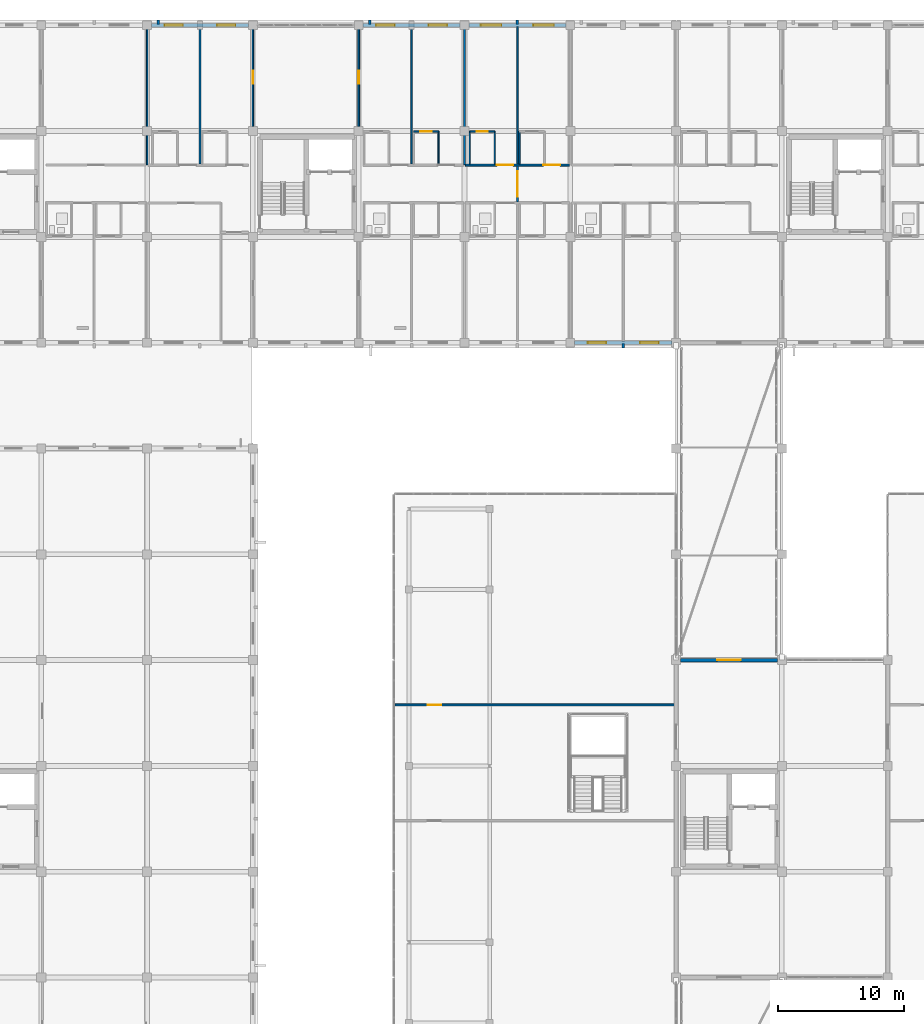
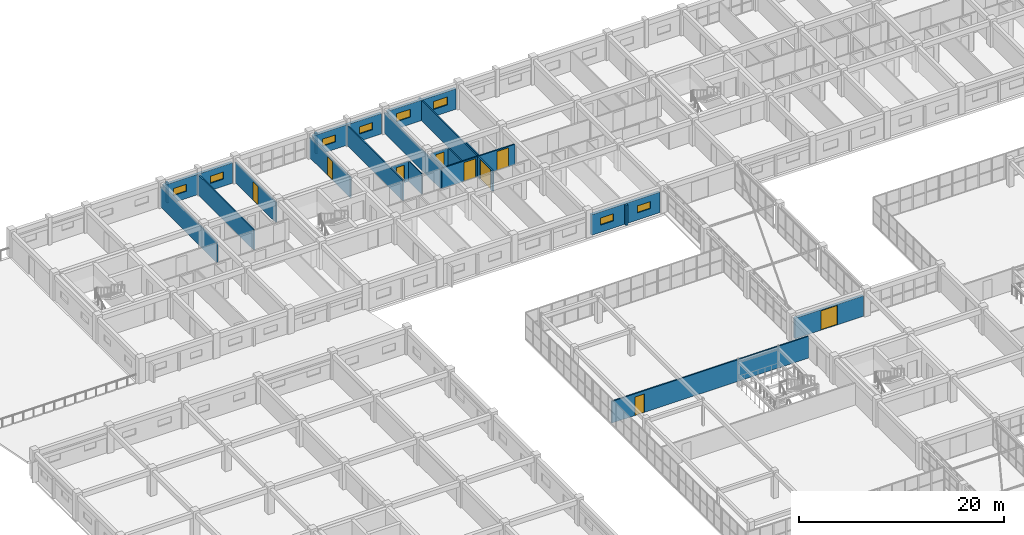
# One storey, part 125 of 148: 25 walls, 9 doors, 8 windows, 17 openings.
"""IFC4 building model written with IfcOpenShell, lengths in metres."""

from ifc_helpers import new_model, si_unit, direction, frame, frame_2d, origin, place, context, subcontext, project, spatial, rectangle, extrude, material, layer, layer_set, type_object, element, fill, save


model = new_model("IFC4")

# Units and contexts
model_context = context("Model", 3, precision=1e-05, world=origin(), true_north=direction((0.0, 1.0)))
body_context = subcontext(model_context, "Body", "Model", "MODEL_VIEW")
ifc_project = project(units=[si_unit("LENGTHUNIT", "METRE"), si_unit("AREAUNIT", "SQUARE_METRE"), si_unit("VOLUMEUNIT", "CUBIC_METRE"), si_unit("PLANEANGLEUNIT", "RADIAN"), si_unit("MASSUNIT", "GRAM", prefix="KILO")], contexts=[model_context])

# Site, building, storey
site_placement = place(None, origin())
site = spatial("IfcSite", under=ifc_project, at=site_placement, CompositionType="ELEMENT")
building_placement = place(site_placement, origin())
building = spatial("IfcBuilding", under=site, at=building_placement, Name="Trelvath General Hospital", CompositionType="ELEMENT")
storey_placement = place(building_placement, frame((0.0, 0.0, 12.89990234375)))
storey = spatial("IfcBuildingStorey", under=building, at=storey_placement, Name="L03", CompositionType="ELEMENT", Elevation=12.89990234375)

# Walls
ifc_material_1 = material(Name="Precast concrete C40/50", Category="concrete")
ifc_layer_1 = layer(ifc_material_1, 0.199951171875)
ifc_layer_set_1 = layer_set([ifc_layer_1], Name="Precast concrete C40/50")
wall_type_1 = type_object("IfcWallType", Name="BriseSoleilRib 200", PredefinedType="ELEMENTEDWALL", material=ifc_layer_set_1)
for number, where, z_axis, x_axis, name in (
    (1, (34.484619140625, 117.675048828125, 0.0), (0.0, 0.0, 1.0), (0.0, 1.0, 0.0), "Precast Concrete Brise-Soleil Rib Fin L03-257"),
    (2, (51.28466796875, 117.675048828125, 0.0), (0.0, 0.0, 1.0), (0.0, 1.0, 0.0), "Precast Concrete Brise-Soleil Rib Fin L03-263"),
    (3, (63.0, 117.675048828125, 0.0), (0.0, 0.0, 1.0), (0.0, 1.0, 0.0), "Precast Concrete Brise-Soleil Rib Fin L03-267"),
    (4, (71.39990234375, 92.324951171875, 0.0), (0.0, 0.0, 1.0), (0.0, -1.0, 0.0), "Precast Concrete Brise-Soleil Rib Fin L03-270"),
):
    element("IfcWall", number, at=place(storey_placement, frame(where, z_axis=z_axis, x_axis=x_axis)), inside=storey, type_object=wall_type_1, Name=name, PredefinedType="ELEMENTEDWALL", context=body_context, shape_type="SweptSolid", body=[
        extrude(rectangle(XDim=0.33984375, YDim=0.199951171875, at=frame_2d((0.169921875, 0.0))), origin(), (0.0, 0.0, 1.0), 2.420166015625),
    ])

# Wall, openings, doors
ifc_material_2 = material(Name="Gypsum acoustic steel-stud partition", Category="steel")
ifc_layer_2 = layer(ifc_material_2, 0.14990234375)
ifc_layer_set_2 = layer_set([ifc_layer_2], Name="Gypsum acoustic steel-stud partition")
wall_type_2 = type_object("IfcWallType", Name="ClinicalPartition 150", PredefinedType="PARTITIONING", material=ifc_layer_set_2)
wall_1_placement = place(storey_placement, frame((67.1201171875, 106.5, 0.0), z_axis=(0.0, 0.0, 1.0), x_axis=(-1.0, 0.0, 0.0)))
wall_1 = element("IfcWall", 5, at=wall_1_placement, inside=storey, type_object=wall_type_2, Name="Corridor Partition N L03-1285", PredefinedType="PARTITIONING", context=body_context, shape_type="SweptSolid", body=[
    extrude(rectangle(XDim=8.240234375, YDim=0.14990234375, at=frame_2d((4.1201171875, 0.0))), origin(), (0.0, 0.0, 1.0), 2.420166015625),
])
opening_1_placement = place(wall_1_placement, frame((0.72998046875, 0.0, 0.0)))
opening_1 = element("IfcOpeningElement", 6, at=opening_1_placement, cuts=wall_1, Name="Opening D-3-0929", PredefinedType="OPENING", context=body_context, shape_type="SweptSolid", body=[
    extrude(rectangle(XDim=1.320068359375, YDim=2.25, at=frame_2d((0.66015625, 1.125))), frame((0.0, 0.0849609375, 0.0), z_axis=(0.0, -1.0, 0.0), x_axis=(1.0, 0.0, 0.0)), (0.0, 0.0, 1.0), 0.169921875),
])
opening_2_placement = place(wall_1_placement, frame((4.429931640625, 0.0, 0.0)))
opening_2 = element("IfcOpeningElement", 7, at=opening_2_placement, cuts=wall_1, Name="Opening D-3-0930", PredefinedType="OPENING", context=body_context, shape_type="SweptSolid", body=[
    extrude(rectangle(XDim=1.320068359375, YDim=2.25, at=frame_2d((0.66015625, 1.125))), frame((0.0, 0.0849609375, 0.0), z_axis=(0.0, -1.0, 0.0), x_axis=(1.0, 0.0, 0.0)), (0.0, 0.0, 1.0), 0.169921875),
])
ifc_material_3 = material(Name="Maternity bed-leaf timber door", Category="wood")
door_type_1 = type_object("IfcDoorType", Name="Door PatientMaternity 1320x2250", OperationType="NOTDEFINED", PredefinedType="DOOR", material=ifc_material_3)
door_1_placement = place(opening_1_placement, origin())
door_1 = element("IfcDoor", 8, at=door_1_placement, inside=storey, type_object=door_type_1, Name="Patient Room Door N L03-929", OperationType="SINGLE_SWING_LEFT", OverallHeight=2.25, OverallWidth=1.320068359375, PredefinedType="DOOR", context=body_context, shape_type="SweptSolid", body=[
    extrude(rectangle(XDim=1.320068359375, YDim=2.25, at=frame_2d((0.66015625, 1.125))), frame((0.0, 0.02490234375, 0.0), z_axis=(0.0, -1.0, 0.0), x_axis=(1.0, 0.0, 0.0)), (0.0, 0.0, 1.0), 0.050048828125),
])
fill(opening_1, door_1)
door_2_placement = place(opening_2_placement, origin())
door_2 = element("IfcDoor", 9, at=door_2_placement, inside=storey, type_object=door_type_1, Name="Patient Room Door N L03-930", OperationType="SINGLE_SWING_LEFT", OverallHeight=2.25, OverallWidth=1.320068359375, PredefinedType="DOOR", context=body_context, shape_type="SweptSolid", body=[
    extrude(rectangle(XDim=1.320068359375, YDim=2.25, at=frame_2d((0.66015625, 1.125))), frame((0.0, 0.02490234375, 0.0), z_axis=(0.0, -1.0, 0.0), x_axis=(1.0, 0.0, 0.0)), (0.0, 0.0, 1.0), 0.050048828125),
])
fill(opening_2, door_2)

# Wall, opening, door
wall_2_placement = place(storey_placement, frame((53.300048828125, 63.64990234375, 0.0), z_axis=(0.0, 0.0, 1.0), x_axis=(1.0, 0.0, 0.0)))
wall_2 = element("IfcWall", 10, at=wall_2_placement, inside=storey, type_object=wall_type_2, Name="Cube Clinic CUBE-W Partition L03-1403", PredefinedType="PARTITIONING", context=body_context, shape_type="SweptSolid", body=[
    extrude(rectangle(XDim=22.199951171875, YDim=0.14990234375, at=frame_2d((11.10009765625, 0.0))), origin(), (0.0, 0.0, 1.0), 2.590087890625),
])
opening_3_placement = place(wall_2_placement, frame((2.60009765625, 0.0, 0.0)))
opening_3 = element("IfcOpeningElement", 11, at=opening_3_placement, cuts=wall_2, Name="Opening DC-3-0988", PredefinedType="OPENING", context=body_context, shape_type="SweptSolid", body=[
    extrude(rectangle(XDim=1.050048828125, YDim=2.199951171875, at=frame_2d((0.52490234375, 1.10009765625))), frame((0.0, 0.0849609375, 0.0), z_axis=(0.0, -1.0, 0.0), x_axis=(1.0, 0.0, 0.0)), (0.0, 0.0, 1.0), 0.169921875),
])
ifc_material_4 = material(Name="Acoustic hospital timber leaf", Category="wood")
door_type_2 = type_object("IfcDoorType", Name="Door Consult 1050x2200", OperationType="NOTDEFINED", PredefinedType="DOOR", material=ifc_material_4)
door_3_placement = place(opening_3_placement, origin())
door_3 = element("IfcDoor", 12, at=door_3_placement, inside=storey, type_object=door_type_2, Name="Cube Clinic CUBE-W Door L03-988", OperationType="SINGLE_SWING_RIGHT", OverallHeight=2.199951171875, OverallWidth=1.050048828125, PredefinedType="DOOR", context=body_context, shape_type="SweptSolid", body=[
    extrude(rectangle(XDim=1.050048828125, YDim=2.199951171875, at=frame_2d((0.52490234375, 1.10009765625))), frame((0.0, 0.02490234375, 0.0), z_axis=(0.0, -1.0, 0.0), x_axis=(1.0, 0.0, 0.0)), (0.0, 0.0, 1.0), 0.050048828125),
])
fill(opening_3, door_3)

# Wall
ifc_material_5 = material(Name="Moisture-resistant tile partition")
ifc_layer_3 = layer(ifc_material_5, 0.110107421875)
ifc_layer_set_3 = layer_set([ifc_layer_3], Name="Moisture-resistant tile partition")
wall_type_3 = type_object("IfcWallType", Name="EnSuiteWetWall 110", PredefinedType="PARTITIONING", material=ifc_layer_set_3)
wall_3_placement = place(storey_placement, frame((56.739990234375, 106.570068359375, 0.0), z_axis=(0.0, 0.0, 1.0), x_axis=(0.0, 1.0, 0.0)))
element("IfcWall", 13, at=wall_3_placement, inside=storey, type_object=wall_type_3, Name="En-Suite E Wall N L03-1273", PredefinedType="PARTITIONING", context=body_context, shape_type="SweptSolid", body=[
    extrude(rectangle(XDim=2.60986328125, YDim=0.110107421875, at=frame_2d((1.304931640625, 0.0))), origin(), (0.0, 0.0, 1.0), 2.420166015625),
])

# Wall, opening, door
wall_4_placement = place(storey_placement, frame((54.760009765625, 109.179931640625, 0.0), z_axis=(0.0, 0.0, 1.0), x_axis=(1.0, 0.0, 0.0)))
wall_4 = element("IfcWall", 14, at=wall_4_placement, inside=storey, type_object=wall_type_3, Name="En-Suite Bathroom N Partition L03-1274", PredefinedType="PARTITIONING", context=body_context, shape_type="SweptSolid", body=[
    extrude(rectangle(XDim=1.97998046875, YDim=0.110107421875, at=frame_2d((0.989990234375, 0.0))), origin(), (0.0, 0.0, 1.0), 2.420166015625),
])
opening_4_placement = place(wall_4_placement, frame((0.5400390625, 0.0, 0.0)))
opening_4 = element("IfcOpeningElement", 15, at=opening_4_placement, cuts=wall_4, Name="Opening D-3-0924", PredefinedType="OPENING", context=body_context, shape_type="SweptSolid", body=[
    extrude(rectangle(XDim=0.89990234375, YDim=2.10009765625, at=frame_2d((0.449951171875, 1.050048828125))), frame((0.0, 0.06494140625, 0.0), z_axis=(0.0, -1.0, 0.0), x_axis=(1.0, 0.0, 0.0)), (0.0, 0.0, 1.0), 0.130126953125),
])
ifc_material_6 = material(Name="Moisture-sealed timber leaf", Category="wood")
door_type_3 = type_object("IfcDoorType", Name="Door EnSuite 900x2100", OperationType="NOTDEFINED", PredefinedType="DOOR", material=ifc_material_6)
door_4_placement = place(opening_4_placement, origin())
door_4 = element("IfcDoor", 16, at=door_4_placement, inside=storey, type_object=door_type_3, Name="En-Suite Bathroom N Door L03-924", OperationType="SINGLE_SWING_RIGHT", OverallHeight=2.10009765625, OverallWidth=0.89990234375, PredefinedType="DOOR", context=body_context, shape_type="SweptSolid", body=[
    extrude(rectangle(XDim=0.89990234375, YDim=2.10009765625, at=frame_2d((0.449951171875, 1.050048828125))), frame((0.0, 0.02490234375, 0.0), z_axis=(0.0, -1.0, 0.0), x_axis=(1.0, 0.0, 0.0)), (0.0, 0.0, 1.0), 0.050048828125),
])
fill(opening_4, door_4)

# Walls
for number, where, z_axis, x_axis, name in (
    (17, (59.219970703125, 106.570068359375, 0.0), (0.0, 0.0, 1.0), (0.0, 1.0, 0.0), "En-Suite W Wall N L03-1287"),
    (18, (61.199951171875, 106.570068359375, 0.0), (0.0, 0.0, 1.0), (0.0, 1.0, 0.0), "En-Suite E Wall N L03-1288"),
):
    element("IfcWall", number, at=place(storey_placement, frame(where, z_axis=z_axis, x_axis=x_axis)), inside=storey, type_object=wall_type_3, Name=name, PredefinedType="PARTITIONING", context=body_context, shape_type="SweptSolid", body=[
        extrude(rectangle(XDim=2.60986328125, YDim=0.110107421875, at=frame_2d((1.304931640625, 0.0))), origin(), (0.0, 0.0, 1.0), 2.420166015625),
    ])

# Wall, opening, door
wall_5_placement = place(storey_placement, frame((59.219970703125, 109.179931640625, 0.0), z_axis=(0.0, 0.0, 1.0), x_axis=(1.0, 0.0, 0.0)))
wall_5 = element("IfcWall", 19, at=wall_5_placement, inside=storey, type_object=wall_type_3, Name="En-Suite Bathroom N Partition L03-1289", PredefinedType="PARTITIONING", context=body_context, shape_type="SweptSolid", body=[
    extrude(rectangle(XDim=1.97998046875, YDim=0.110107421875, at=frame_2d((0.989990234375, 0.0))), origin(), (0.0, 0.0, 1.0), 2.420166015625),
])
opening_5_placement = place(wall_5_placement, frame((0.5400390625, 0.0, 0.0)))
opening_5 = element("IfcOpeningElement", 20, at=opening_5_placement, cuts=wall_5, Name="Opening D-3-0931", PredefinedType="OPENING", context=body_context, shape_type="SweptSolid", body=[
    extrude(rectangle(XDim=0.89990234375, YDim=2.10009765625, at=frame_2d((0.449951171875, 1.050048828125))), frame((0.0, 0.06494140625, 0.0), z_axis=(0.0, -1.0, 0.0), x_axis=(1.0, 0.0, 0.0)), (0.0, 0.0, 1.0), 0.130126953125),
])
door_5_placement = place(opening_5_placement, origin())
door_5 = element("IfcDoor", 21, at=door_5_placement, inside=storey, type_object=door_type_3, Name="En-Suite Bathroom N Door L03-931", OperationType="SINGLE_SWING_RIGHT", OverallHeight=2.10009765625, OverallWidth=0.89990234375, PredefinedType="DOOR", context=body_context, shape_type="SweptSolid", body=[
    extrude(rectangle(XDim=0.89990234375, YDim=2.10009765625, at=frame_2d((0.449951171875, 1.050048828125))), frame((0.0, 0.02490234375, 0.0), z_axis=(0.0, -1.0, 0.0), x_axis=(1.0, 0.0, 0.0)), (0.0, 0.0, 1.0), 0.050048828125),
])
fill(opening_5, door_5)

# Wall
wall_6_placement = place(storey_placement, frame((63.159912109375, 106.570068359375, 0.0), z_axis=(0.0, 0.0, 1.0), x_axis=(0.0, 1.0, 0.0)))
element("IfcWall", 22, at=wall_6_placement, inside=storey, type_object=wall_type_3, Name="En-Suite W Wall N L03-1290", PredefinedType="PARTITIONING", context=body_context, shape_type="SweptSolid", body=[
    extrude(rectangle(XDim=2.60986328125, YDim=0.110107421875, at=frame_2d((1.304931640625, 0.0))), origin(), (0.0, 0.0, 1.0), 2.420166015625),
])

# Wall, openings, windows
ifc_material_7 = material(Name="Concrete C35/45", Category="concrete")
ifc_layer_4 = layer(ifc_material_7, 0.2900390625)
ifc_layer_set_4 = layer_set([ifc_layer_4], Name="Concrete C35/45")
wall_type_4 = type_object("IfcWallType", Name="ExtBushHammeredWall 290", PredefinedType="SOLIDWALL", material=ifc_layer_set_4)
wall_7_placement = place(storey_placement, frame((33.945068359375, 117.60009765625, 0.0), z_axis=(0.0, 0.0, 1.0), x_axis=(1.0, 0.0, 0.0)))
wall_7 = element("IfcWall", 23, at=wall_7_placement, inside=storey, type_object=wall_type_4, Name="Exterior Concrete Wall L03-365", PredefinedType="SOLIDWALL", context=body_context, shape_type="SweptSolid", body=[
    extrude(rectangle(XDim=7.7099609375, YDim=0.2900390625, at=frame_2d((3.85498046875, 0.0))), origin(), (0.0, 0.0, 1.0), 2.440185546875),
])
opening_6_placement = place(wall_7_placement, frame((1.043212890625, 0.0, 0.85009765625)))
opening_6 = element("IfcOpeningElement", 24, at=opening_6_placement, cuts=wall_7, Name="Opening WN-3-599", PredefinedType="OPENING", context=body_context, shape_type="SweptSolid", body=[
    extrude(rectangle(XDim=1.4599609375, YDim=0.85009765625, at=frame_2d((0.72998046875, 0.425048828125))), frame((0.0, 0.155029296875, 0.0), z_axis=(0.0, -1.0, 0.0), x_axis=(1.0, 0.0, 0.0)), (0.0, 0.0, 1.0), 0.31005859375),
])
opening_7_placement = place(wall_7_placement, frame((5.206787109375, 0.0, 0.85009765625)))
opening_7 = element("IfcOpeningElement", 25, at=opening_7_placement, cuts=wall_7, Name="Opening WN-3-600", PredefinedType="OPENING", context=body_context, shape_type="SweptSolid", body=[
    extrude(rectangle(XDim=1.4599609375, YDim=0.85009765625, at=frame_2d((0.72998046875, 0.425048828125))), frame((0.0, 0.155029296875, 0.0), z_axis=(0.0, -1.0, 0.0), x_axis=(1.0, 0.0, 0.0)), (0.0, 0.0, 1.0), 0.31005859375),
])
ifc_material_8 = material(Name="Low-E laminated glass", Category="glass")
window_type_1 = type_object("IfcWindowType", Name="Window ImagingClere 1460x850", PartitioningType="DOUBLE_PANEL_VERTICAL", PredefinedType="WINDOW", material=ifc_material_8)
window_1_placement = place(opening_6_placement, origin())
window_1 = element("IfcWindow", 26, at=window_1_placement, inside=storey, type_object=window_type_1, Name="Solar Reveal Window L03-599", OverallHeight=0.85009765625, OverallWidth=1.4599609375, PartitioningType="SINGLE_PANEL", PredefinedType="WINDOW", context=body_context, shape_type="SweptSolid", body=[
    extrude(rectangle(XDim=1.4599609375, YDim=0.85009765625, at=frame_2d((0.72998046875, 0.425048828125))), frame((0.0, 0.030029296875, 0.0), z_axis=(0.0, -1.0, 0.0), x_axis=(1.0, 0.0, 0.0)), (0.0, 0.0, 1.0), 0.06005859375),
])
fill(opening_6, window_1)
window_2_placement = place(opening_7_placement, origin())
window_2 = element("IfcWindow", 27, at=window_2_placement, inside=storey, type_object=window_type_1, Name="Solar Reveal Window L03-600", OverallHeight=0.85009765625, OverallWidth=1.4599609375, PartitioningType="SINGLE_PANEL", PredefinedType="WINDOW", context=body_context, shape_type="SweptSolid", body=[
    extrude(rectangle(XDim=1.4599609375, YDim=0.85009765625, at=frame_2d((0.72998046875, 0.425048828125))), frame((0.0, 0.030029296875, 0.0), z_axis=(0.0, -1.0, 0.0), x_axis=(1.0, 0.0, 0.0)), (0.0, 0.0, 1.0), 0.06005859375),
])
fill(opening_7, window_2)

wall_8_placement = place(storey_placement, frame((50.7451171875, 117.60009765625, 0.0), z_axis=(0.0, 0.0, 1.0), x_axis=(1.0, 0.0, 0.0)))
wall_8 = element("IfcWall", 28, at=wall_8_placement, inside=storey, type_object=wall_type_4, Name="Exterior Concrete Wall L03-371", PredefinedType="SOLIDWALL", context=body_context, shape_type="SweptSolid", body=[
    extrude(rectangle(XDim=7.7099609375, YDim=0.2900390625, at=frame_2d((3.85498046875, 0.0))), origin(), (0.0, 0.0, 1.0), 2.440185546875),
])
opening_8_placement = place(wall_8_placement, frame((1.043212890625, 0.0, 0.85009765625)))
opening_8 = element("IfcOpeningElement", 29, at=opening_8_placement, cuts=wall_8, Name="Opening WN-3-611", PredefinedType="OPENING", context=body_context, shape_type="SweptSolid", body=[
    extrude(rectangle(XDim=1.4599609375, YDim=0.85009765625, at=frame_2d((0.72998046875, 0.425048828125))), frame((0.0, 0.155029296875, 0.0), z_axis=(0.0, -1.0, 0.0), x_axis=(1.0, 0.0, 0.0)), (0.0, 0.0, 1.0), 0.31005859375),
])
opening_9_placement = place(wall_8_placement, frame((5.206787109375, 0.0, 0.85009765625)))
opening_9 = element("IfcOpeningElement", 30, at=opening_9_placement, cuts=wall_8, Name="Opening WN-3-612", PredefinedType="OPENING", context=body_context, shape_type="SweptSolid", body=[
    extrude(rectangle(XDim=1.4599609375, YDim=0.85009765625, at=frame_2d((0.72998046875, 0.425048828125))), frame((0.0, 0.155029296875, 0.0), z_axis=(0.0, -1.0, 0.0), x_axis=(1.0, 0.0, 0.0)), (0.0, 0.0, 1.0), 0.31005859375),
])
window_3_placement = place(opening_8_placement, origin())
window_3 = element("IfcWindow", 31, at=window_3_placement, inside=storey, type_object=window_type_1, Name="Solar Reveal Window L03-611", OverallHeight=0.85009765625, OverallWidth=1.4599609375, PartitioningType="SINGLE_PANEL", PredefinedType="WINDOW", context=body_context, shape_type="SweptSolid", body=[
    extrude(rectangle(XDim=1.4599609375, YDim=0.85009765625, at=frame_2d((0.72998046875, 0.425048828125))), frame((0.0, 0.030029296875, 0.0), z_axis=(0.0, -1.0, 0.0), x_axis=(1.0, 0.0, 0.0)), (0.0, 0.0, 1.0), 0.06005859375),
])
fill(opening_8, window_3)
window_4_placement = place(opening_9_placement, origin())
window_4 = element("IfcWindow", 32, at=window_4_placement, inside=storey, type_object=window_type_1, Name="Solar Reveal Window L03-612", OverallHeight=0.85009765625, OverallWidth=1.4599609375, PartitioningType="SINGLE_PANEL", PredefinedType="WINDOW", context=body_context, shape_type="SweptSolid", body=[
    extrude(rectangle(XDim=1.4599609375, YDim=0.85009765625, at=frame_2d((0.72998046875, 0.425048828125))), frame((0.0, 0.030029296875, 0.0), z_axis=(0.0, -1.0, 0.0), x_axis=(1.0, 0.0, 0.0)), (0.0, 0.0, 1.0), 0.06005859375),
])
fill(opening_9, window_4)

wall_9_placement = place(storey_placement, frame((59.14501953125, 117.60009765625, 0.0), z_axis=(0.0, 0.0, 1.0), x_axis=(1.0, 0.0, 0.0)))
wall_9 = element("IfcWall", 33, at=wall_9_placement, inside=storey, type_object=wall_type_4, Name="Exterior Concrete Wall L03-375", PredefinedType="SOLIDWALL", context=body_context, shape_type="SweptSolid", body=[
    extrude(rectangle(XDim=7.7099609375, YDim=0.2900390625, at=frame_2d((3.85498046875, 0.0))), origin(), (0.0, 0.0, 1.0), 2.440185546875),
])
opening_10_placement = place(wall_9_placement, frame((0.96337890625, 0.0, 0.85009765625)))
opening_10 = element("IfcOpeningElement", 34, at=opening_10_placement, cuts=wall_9, Name="Opening WN-3-619", PredefinedType="OPENING", context=body_context, shape_type="SweptSolid", body=[
    extrude(rectangle(XDim=1.6201171875, YDim=0.949951171875, at=frame_2d((0.81005859375, 0.47509765625))), frame((0.0, 0.155029296875, 0.0), z_axis=(0.0, -1.0, 0.0), x_axis=(1.0, 0.0, 0.0)), (0.0, 0.0, 1.0), 0.31005859375),
])
opening_11_placement = place(wall_9_placement, frame((5.126708984375, 0.0, 0.85009765625)))
opening_11 = element("IfcOpeningElement", 35, at=opening_11_placement, cuts=wall_9, Name="Opening WN-3-620", PredefinedType="OPENING", context=body_context, shape_type="SweptSolid", body=[
    extrude(rectangle(XDim=1.6201171875, YDim=0.949951171875, at=frame_2d((0.81005859375, 0.47509765625))), frame((0.0, 0.155029296875, 0.0), z_axis=(0.0, -1.0, 0.0), x_axis=(1.0, 0.0, 0.0)), (0.0, 0.0, 1.0), 0.31005859375),
])
ifc_material_9 = material(Name="Low-E laminated glass", Category="glass")
window_type_2 = type_object("IfcWindowType", Name="Window EmergencyClere 1620x950", PartitioningType="DOUBLE_PANEL_VERTICAL", PredefinedType="WINDOW", material=ifc_material_9)
window_5_placement = place(opening_10_placement, origin())
window_5 = element("IfcWindow", 36, at=window_5_placement, inside=storey, type_object=window_type_2, Name="Solar Reveal Window L03-619", OverallHeight=0.949951171875, OverallWidth=1.6201171875, PartitioningType="SINGLE_PANEL", PredefinedType="WINDOW", context=body_context, shape_type="SweptSolid", body=[
    extrude(rectangle(XDim=1.6201171875, YDim=0.949951171875, at=frame_2d((0.81005859375, 0.47509765625))), frame((0.0, 0.030029296875, 0.0), z_axis=(0.0, -1.0, 0.0), x_axis=(1.0, 0.0, 0.0)), (0.0, 0.0, 1.0), 0.06005859375),
])
fill(opening_10, window_5)
window_6_placement = place(opening_11_placement, origin())
window_6 = element("IfcWindow", 37, at=window_6_placement, inside=storey, type_object=window_type_2, Name="Solar Reveal Window L03-620", OverallHeight=0.949951171875, OverallWidth=1.6201171875, PartitioningType="SINGLE_PANEL", PredefinedType="WINDOW", context=body_context, shape_type="SweptSolid", body=[
    extrude(rectangle(XDim=1.6201171875, YDim=0.949951171875, at=frame_2d((0.81005859375, 0.47509765625))), frame((0.0, 0.030029296875, 0.0), z_axis=(0.0, -1.0, 0.0), x_axis=(1.0, 0.0, 0.0)), (0.0, 0.0, 1.0), 0.06005859375),
])
fill(opening_11, window_6)

wall_10_placement = place(storey_placement, frame((75.2548828125, 92.39990234375, 0.0), z_axis=(0.0, 0.0, 1.0), x_axis=(-1.0, 0.0, 0.0)))
wall_10 = element("IfcWall", 38, at=wall_10_placement, inside=storey, type_object=wall_type_4, Name="Exterior Concrete Wall L03-378", PredefinedType="SOLIDWALL", context=body_context, shape_type="SweptSolid", body=[
    extrude(rectangle(XDim=7.7099609375, YDim=0.2900390625, at=frame_2d((3.85498046875, 0.0))), origin(), (0.0, 0.0, 1.0), 2.440185546875),
])
opening_12_placement = place(wall_10_placement, frame((1.043212890625, 0.0, 0.85009765625)))
opening_12 = element("IfcOpeningElement", 39, at=opening_12_placement, cuts=wall_10, Name="Opening WN-3-625", PredefinedType="OPENING", context=body_context, shape_type="SweptSolid", body=[
    extrude(rectangle(XDim=1.4599609375, YDim=0.85009765625, at=frame_2d((0.72998046875, 0.425048828125))), frame((0.0, 0.155029296875, 0.0), z_axis=(0.0, -1.0, 0.0), x_axis=(1.0, 0.0, 0.0)), (0.0, 0.0, 1.0), 0.31005859375),
])
opening_13_placement = place(wall_10_placement, frame((5.206787109375, 0.0, 0.85009765625)))
opening_13 = element("IfcOpeningElement", 40, at=opening_13_placement, cuts=wall_10, Name="Opening WN-3-626", PredefinedType="OPENING", context=body_context, shape_type="SweptSolid", body=[
    extrude(rectangle(XDim=1.4599609375, YDim=0.85009765625, at=frame_2d((0.72998046875, 0.425048828125))), frame((0.0, 0.155029296875, 0.0), z_axis=(0.0, -1.0, 0.0), x_axis=(1.0, 0.0, 0.0)), (0.0, 0.0, 1.0), 0.31005859375),
])
window_7_placement = place(opening_12_placement, origin())
window_7 = element("IfcWindow", 41, at=window_7_placement, inside=storey, type_object=window_type_1, Name="Solar Reveal Window L03-625", OverallHeight=0.85009765625, OverallWidth=1.4599609375, PartitioningType="SINGLE_PANEL", PredefinedType="WINDOW", context=body_context, shape_type="SweptSolid", body=[
    extrude(rectangle(XDim=1.4599609375, YDim=0.85009765625, at=frame_2d((0.72998046875, 0.425048828125))), frame((0.0, 0.030029296875, 0.0), z_axis=(0.0, -1.0, 0.0), x_axis=(1.0, 0.0, 0.0)), (0.0, 0.0, 1.0), 0.06005859375),
])
fill(opening_12, window_7)
window_8_placement = place(opening_13_placement, origin())
window_8 = element("IfcWindow", 42, at=window_8_placement, inside=storey, type_object=window_type_1, Name="Solar Reveal Window L03-626", OverallHeight=0.85009765625, OverallWidth=1.4599609375, PartitioningType="SINGLE_PANEL", PredefinedType="WINDOW", context=body_context, shape_type="SweptSolid", body=[
    extrude(rectangle(XDim=1.4599609375, YDim=0.85009765625, at=frame_2d((0.72998046875, 0.425048828125))), frame((0.0, 0.030029296875, 0.0), z_axis=(0.0, -1.0, 0.0), x_axis=(1.0, 0.0, 0.0)), (0.0, 0.0, 1.0), 0.06005859375),
])
fill(opening_13, window_8)

# Wall, opening, door
wall_11_placement = place(storey_placement, frame((75.945068359375, 67.199951171875, 0.0), z_axis=(0.0, 0.0, 1.0), x_axis=(1.0, 0.0, 0.0)))
wall_11 = element("IfcWall", 43, at=wall_11_placement, inside=storey, type_object=wall_type_4, Name="Bridge Portal Wall BRG-N-C L03", PredefinedType="SOLIDWALL", context=body_context, shape_type="SweptSolid", body=[
    extrude(rectangle(XDim=7.7099609375, YDim=0.2900390625, at=frame_2d((3.85498046875, 0.0))), origin(), (0.0, 0.0, 1.0), 2.440185546875),
])
opening_14_placement = place(wall_11_placement, frame((2.905029296875, 0.0, 0.0)))
opening_14 = element("IfcOpeningElement", 44, at=opening_14_placement, cuts=wall_11, Name="Opening BP-3-052", PredefinedType="OPENING", context=body_context, shape_type="SweptSolid", body=[
    extrude(rectangle(XDim=1.89990234375, YDim=2.320068359375, at=frame_2d((0.949951171875, 1.16015625))), frame((0.0, 0.155029296875, 0.0), z_axis=(0.0, -1.0, 0.0), x_axis=(1.0, 0.0, 0.0)), (0.0, 0.0, 1.0), 0.31005859375),
])
ifc_material_10 = material(Name="Thermally broken glazed aluminium pair", Category="aluminium")
door_type_4 = type_object("IfcDoorType", Name="Door BridgeEntry 1900x2400", OperationType="DOUBLE_SWING_LEFT", PredefinedType="DOOR", material=ifc_material_10)
door_6_placement = place(opening_14_placement, origin())
door_6 = element("IfcDoor", 45, at=door_6_placement, inside=storey, type_object=door_type_4, Name="Glazed Bridge Portal Door BRG-N-C L03", OperationType="DOUBLE_SWING_LEFT", OverallHeight=2.320068359375, OverallWidth=1.89990234375, PredefinedType="DOOR", context=body_context, shape_type="SweptSolid", body=[
    extrude(rectangle(XDim=1.89990234375, YDim=2.320068359375, at=frame_2d((0.949951171875, 1.16015625))), frame((0.0, 0.02490234375, 0.0), z_axis=(0.0, -1.0, 0.0), x_axis=(1.0, 0.0, 0.0)), (0.0, 0.0, 1.0), 0.050048828125),
])
fill(opening_14, door_6)

ifc_material_11 = material(Name="Masonry fire blockwork", Category="masonry")
ifc_layer_5 = layer(ifc_material_11, 0.179931640625)
ifc_layer_set_5 = layer_set([ifc_layer_5], Name="Masonry fire blockwork")
wall_type_5 = type_object("IfcWallType", Name="SmokeBarrierWall 180", PredefinedType="PARTITIONING", material=ifc_layer_set_5)
wall_12_placement = place(storey_placement, frame((63.0, 103.580078125, 0.0), z_axis=(0.0, 0.0, 1.0), x_axis=(0.0, 1.0, 0.0)))
wall_12 = element("IfcWall", 46, at=wall_12_placement, inside=storey, type_object=wall_type_5, Name="Smoke Compartment Barrier L03-1293", PredefinedType="PARTITIONING", context=body_context, shape_type="SweptSolid", body=[
    extrude(rectangle(XDim=2.83984375, YDim=0.179931640625, at=frame_2d((1.419921875, 0.0))), origin(), (0.0, 0.0, 1.0), 2.420166015625),
])
opening_15_placement = place(wall_12_placement, frame((0.39501953125, 0.0, 0.0)))
opening_15 = element("IfcOpeningElement", 47, at=opening_15_placement, cuts=wall_12, Name="Opening SD-3-0933", PredefinedType="OPENING", context=body_context, shape_type="SweptSolid", body=[
    extrude(rectangle(XDim=2.050048828125, YDim=2.35009765625, at=frame_2d((1.02490234375, 1.175048828125))), frame((0.0, 0.099853515625, 0.0), z_axis=(0.0, -1.0, 0.0), x_axis=(1.0, 0.0, 0.0)), (0.0, 0.0, 1.0), 0.199951171875),
])
ifc_material_12 = material(Name="Fire-rated steel cross-corridor pair", Category="steel")
door_type_5 = type_object("IfcDoorType", Name="Door SmokeCross 2050x2350", OperationType="DOUBLE_SWING_LEFT", PredefinedType="DOOR", material=ifc_material_12)
door_7_placement = place(opening_15_placement, origin())
door_7 = element("IfcDoor", 48, at=door_7_placement, inside=storey, type_object=door_type_5, Name="Cross-Corridor Smoke Door L03-933", OperationType="SLIDING_TO_LEFT", OverallHeight=2.35009765625, OverallWidth=2.050048828125, PredefinedType="DOOR", context=body_context, shape_type="SweptSolid", body=[
    extrude(rectangle(XDim=2.050048828125, YDim=2.35009765625, at=frame_2d((1.02490234375, 1.175048828125))), frame((0.0, 0.02490234375, 0.0), z_axis=(0.0, -1.0, 0.0), x_axis=(1.0, 0.0, 0.0)), (0.0, 0.0, 1.0), 0.050048828125),
])
fill(opening_15, door_7)

# Walls
ifc_material_13 = material(Name="Gypsum acoustic steel-stud partition", Category="steel")
ifc_layer_6 = layer(ifc_material_13, 0.1298828125)
ifc_layer_set_6 = layer_set([ifc_layer_6], Name="Gypsum acoustic steel-stud partition")
wall_type_6 = type_object("IfcWallType", Name="WardPartition 130", PredefinedType="PARTITIONING", material=ifc_layer_set_6)
wall_13_placement = place(storey_placement, frame((33.60009765625, 106.52001953125, 0.0), z_axis=(0.0, 0.0, 1.0), x_axis=(0.0, 1.0, 0.0)))
element("IfcWall", 49, at=wall_13_placement, inside=storey, type_object=wall_type_6, Name="Inter-Bay Ward Partition N L03-1242", PredefinedType="PARTITIONING", context=body_context, shape_type="SweptSolid", body=[
    extrude(rectangle(XDim=10.93994140625, YDim=0.1298828125, at=frame_2d((5.469970703125, 0.0))), origin(), (0.0, 0.0, 1.0), 2.420166015625),
])
wall_14_placement = place(storey_placement, frame((37.800048828125, 106.570068359375, 0.0), z_axis=(0.0, 0.0, 1.0), x_axis=(0.0, 1.0, 0.0)))
element("IfcWall", 50, at=wall_14_placement, inside=storey, type_object=wall_type_6, Name="Room Dividing Partition N L03-1247", PredefinedType="PARTITIONING", context=body_context, shape_type="SweptSolid", body=[
    extrude(rectangle(XDim=10.929931640625, YDim=0.1298828125, at=frame_2d((5.46484375, 0.0))), origin(), (0.0, 0.0, 1.0), 2.420166015625),
])

# Wall, opening, door
wall_15_placement = place(storey_placement, frame((42.0, 109.550048828125, 0.0), z_axis=(0.0, 0.0, 1.0), x_axis=(0.0, 1.0, 0.0)))
wall_15 = element("IfcWall", 51, at=wall_15_placement, inside=storey, type_object=wall_type_6, Name="Inter-Bay Ward Partition N L03-1255", PredefinedType="PARTITIONING", context=body_context, shape_type="SweptSolid", body=[
    extrude(rectangle(XDim=7.909912109375, YDim=0.1298828125, at=frame_2d((3.955078125, 0.0))), origin(), (0.0, 0.0, 1.0), 2.420166015625),
])
opening_16_placement = place(wall_15_placement, frame((3.39990234375, 0.0, 0.0)))
opening_16 = element("IfcOpeningElement", 52, at=opening_16_placement, cuts=wall_15, Name="Opening D-3-0914", PredefinedType="OPENING", context=body_context, shape_type="SweptSolid", body=[
    extrude(rectangle(XDim=1.050048828125, YDim=2.199951171875, at=frame_2d((0.52490234375, 1.10009765625))), frame((0.0, 0.074951171875, 0.0), z_axis=(0.0, -1.0, 0.0), x_axis=(1.0, 0.0, 0.0)), (0.0, 0.0, 1.0), 0.14990234375),
])
door_8_placement = place(opening_16_placement, origin())
door_8 = element("IfcDoor", 53, at=door_8_placement, inside=storey, type_object=door_type_2, Name="Consultation Connecting Door L03-914", OperationType="SINGLE_SWING_LEFT", OverallHeight=2.199951171875, OverallWidth=1.050048828125, PredefinedType="DOOR", context=body_context, shape_type="SweptSolid", body=[
    extrude(rectangle(XDim=1.050048828125, YDim=2.199951171875, at=frame_2d((0.52490234375, 1.10009765625))), frame((0.0, 0.02490234375, 0.0), z_axis=(0.0, -1.0, 0.0), x_axis=(1.0, 0.0, 0.0)), (0.0, 0.0, 1.0), 0.050048828125),
])
fill(opening_16, door_8)

wall_16_placement = place(storey_placement, frame((50.39990234375, 109.550048828125, 0.0), z_axis=(0.0, 0.0, 1.0), x_axis=(0.0, 1.0, 0.0)))
wall_16 = element("IfcWall", 54, at=wall_16_placement, inside=storey, type_object=wall_type_6, Name="Inter-Bay Ward Partition N L03-1257", PredefinedType="PARTITIONING", context=body_context, shape_type="SweptSolid", body=[
    extrude(rectangle(XDim=7.909912109375, YDim=0.1298828125, at=frame_2d((3.955078125, 0.0))), origin(), (0.0, 0.0, 1.0), 2.420166015625),
])
opening_17_placement = place(wall_16_placement, frame((3.39990234375, 0.0, 0.0)))
opening_17 = element("IfcOpeningElement", 55, at=opening_17_placement, cuts=wall_16, Name="Opening D-3-0916", PredefinedType="OPENING", context=body_context, shape_type="SweptSolid", body=[
    extrude(rectangle(XDim=1.050048828125, YDim=2.199951171875, at=frame_2d((0.52490234375, 1.10009765625))), frame((0.0, 0.074951171875, 0.0), z_axis=(0.0, -1.0, 0.0), x_axis=(1.0, 0.0, 0.0)), (0.0, 0.0, 1.0), 0.14990234375),
])
door_9_placement = place(opening_17_placement, origin())
door_9 = element("IfcDoor", 56, at=door_9_placement, inside=storey, type_object=door_type_2, Name="Consultation Connecting Door L03-916", OperationType="SINGLE_SWING_LEFT", OverallHeight=2.199951171875, OverallWidth=1.050048828125, PredefinedType="DOOR", context=body_context, shape_type="SweptSolid", body=[
    extrude(rectangle(XDim=1.050048828125, YDim=2.199951171875, at=frame_2d((0.52490234375, 1.10009765625))), frame((0.0, 0.02490234375, 0.0), z_axis=(0.0, -1.0, 0.0), x_axis=(1.0, 0.0, 0.0)), (0.0, 0.0, 1.0), 0.050048828125),
])
fill(opening_17, door_9)

# Walls
wall_17_placement = place(storey_placement, frame((54.60009765625, 106.570068359375, 0.0), z_axis=(0.0, 0.0, 1.0), x_axis=(0.0, 1.0, 0.0)))
element("IfcWall", 57, at=wall_17_placement, inside=storey, type_object=wall_type_6, Name="Room Dividing Partition N L03-1268", PredefinedType="PARTITIONING", context=body_context, shape_type="SweptSolid", body=[
    extrude(rectangle(XDim=10.929931640625, YDim=0.1298828125, at=frame_2d((5.46484375, 0.0))), origin(), (0.0, 0.0, 1.0), 2.420166015625),
])
wall_18_placement = place(storey_placement, frame((58.800048828125, 106.52001953125, 0.0), z_axis=(0.0, 0.0, 1.0), x_axis=(0.0, 1.0, 0.0)))
element("IfcWall", 58, at=wall_18_placement, inside=storey, type_object=wall_type_6, Name="Inter-Bay Ward Partition N L03-1276", PredefinedType="PARTITIONING", context=body_context, shape_type="SweptSolid", body=[
    extrude(rectangle(XDim=10.93994140625, YDim=0.1298828125, at=frame_2d((5.469970703125, 0.0))), origin(), (0.0, 0.0, 1.0), 2.420166015625),
])
wall_19_placement = place(storey_placement, frame((63.0, 106.570068359375, 0.0), z_axis=(0.0, 0.0, 1.0), x_axis=(0.0, 1.0, 0.0)))
element("IfcWall", 59, at=wall_19_placement, inside=storey, type_object=wall_type_6, Name="Room Dividing Partition N L03-1286", PredefinedType="PARTITIONING", context=body_context, shape_type="SweptSolid", body=[
    extrude(rectangle(XDim=10.929931640625, YDim=0.1298828125, at=frame_2d((5.46484375, 0.0))), origin(), (0.0, 0.0, 1.0), 2.420166015625),
])

save(model, "model.ifc")
